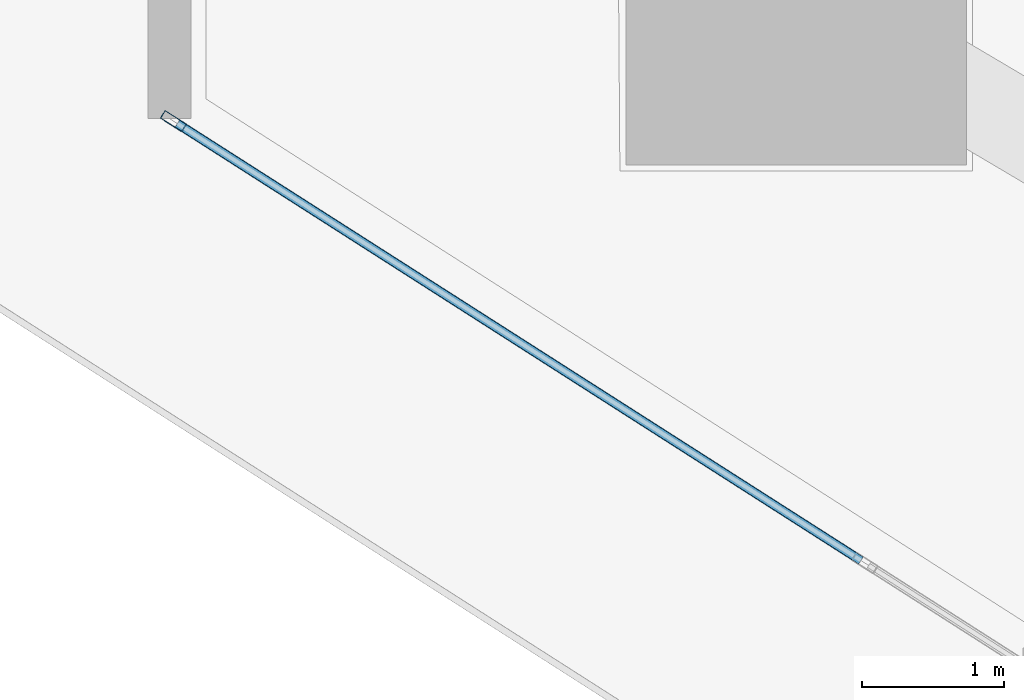
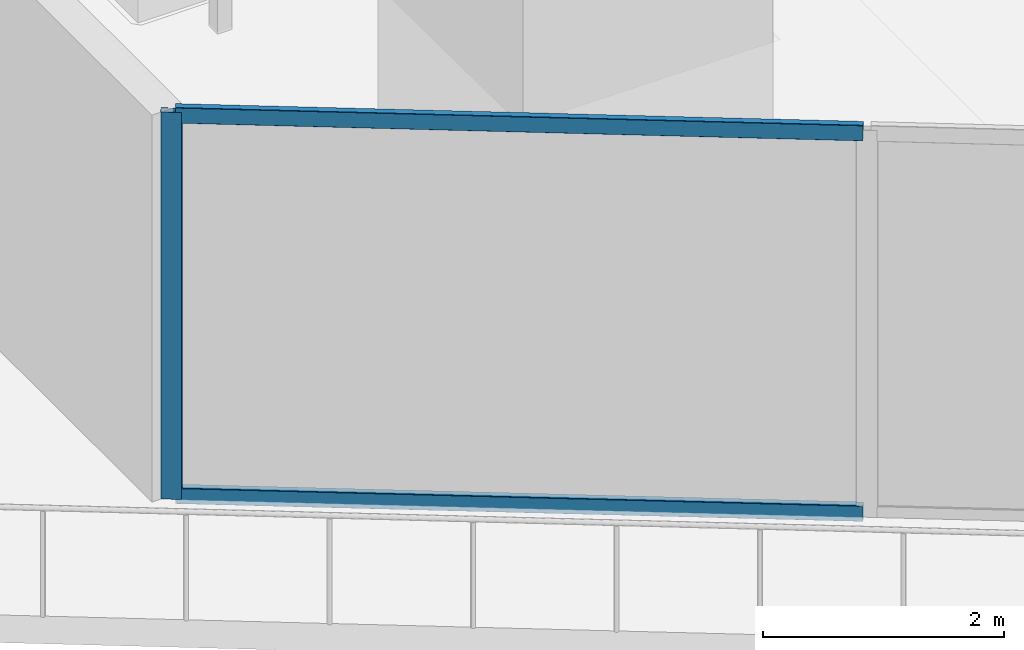
# One storey, part 4 of 44: 3 members, 1 element without a shape of its own.
"""IFC4 building model written with IfcOpenShell, lengths in metres."""

from ifc_helpers import new_model, si_unit, direction, frame, origin, origin_2d, place, context, subcontext, project, spatial, hollow_rectangle, extrude, material, layer, layer_set, material_profile, profile_set, type_object, element, aggregate, save


model = new_model("IFC4")

# Units and contexts
model_context = context("Model", 3, precision=1e-05, world=origin(), true_north=direction((0.0, 1.0)))
body_context = subcontext(model_context, "Body", "Model", "MODEL_VIEW")
ifc_project = project(units=[si_unit("LENGTHUNIT", "METRE"), si_unit("AREAUNIT", "SQUARE_METRE"), si_unit("VOLUMEUNIT", "CUBIC_METRE"), si_unit("PLANEANGLEUNIT", "RADIAN"), si_unit("MASSUNIT", "GRAM", prefix="KILO")], contexts=[model_context])

# Site, building, storey
site_placement = place(None, origin())
site = spatial("IfcSite", under=ifc_project, at=site_placement, CompositionType="ELEMENT")
building_placement = place(site_placement, origin())
building = spatial("IfcBuilding", under=site, at=building_placement, Name="Qorvath Tower", CompositionType="ELEMENT")
storey_placement = place(building_placement, frame((0.0, 0.0, 70.199951171875)))
storey = spatial("IfcBuildingStorey", under=building, at=storey_placement, Name="L15", CompositionType="ELEMENT", Elevation=70.199951171875)

# Curtain wall, members
ifc_material_1 = material(Name="Anodised aluminium and triple low-E glass", Category="aluminium")
ifc_layer = layer(ifc_material_1, 0.179931640625)
ifc_layer_set = layer_set([ifc_layer], Name="CW-SYS-2")
curtain_wall_type = type_object("IfcCurtainWallType", Name="CW-SYS-2", PredefinedType="NOTDEFINED", material=ifc_layer_set)
curtain_wall_placement = place(storey_placement, origin())
curtain_wall = element("IfcCurtainWall", 1, at=curtain_wall_placement, inside=storey, type_object=curtain_wall_type, Name="Curtain Wall CW-2 CW-T-L15-2.1", PredefinedType="NOTDEFINED")
ifc_material_2 = material(Name="Anodised aluminium 6063-T6", Category="aluminium")
ifc_material_profile_1 = material_profile(ifc_material_2, hollow_rectangle(XDim=0.06494140625, YDim=0.179931640625, WallThickness=0.00341796875, InnerFilletRadius=0.00341796875, OuterFilletRadius=0.007080078125, at=origin_2d()), Name="CWM 180x65")
ifc_profile_set_1 = profile_set([ifc_material_profile_1], Name="Anodised aluminium 6063-T6")
member_type_1 = type_object("IfcMemberType", Name="CWM-180", PredefinedType="MULLION", material=ifc_profile_set_1)
member_1_placement = place(storey_placement, frame((-59.669677734375, -4.08447265625, 0.0), z_axis=(0.0, 0.0, 1.0), x_axis=(0.538530641183, 0.842605927173, 0.0)))
member_1 = element("IfcMember", 2, at=member_1_placement, type_object=member_type_1, Name="CW-2 mullion 1", PredefinedType="MULLION", context=body_context, shape_type="SweptSolid", body=[
    extrude(hollow_rectangle(XDim=0.06494140625, YDim=0.179931640625, WallThickness=0.00341796875, InnerFilletRadius=0.00341796875, OuterFilletRadius=0.007080078125, at=origin_2d()), origin(), (0.0, 0.0, 1.0), 3.920166015625),
])
ifc_material_3 = material(Name="Anodised aluminium 6063-T6", Category="aluminium")
ifc_material_profile_2 = material_profile(ifc_material_3, hollow_rectangle(XDim=0.06494140625, YDim=0.159912109375, WallThickness=0.00341796875, InnerFilletRadius=0.00341796875, OuterFilletRadius=0.007080078125, at=origin_2d()), Name="CWT 160x65")
ifc_profile_set_2 = profile_set([ifc_material_profile_2], Name="Anodised aluminium 6063-T6")
member_type_2 = type_object("IfcMemberType", Name="CWT-160", PredefinedType="USERDEFINED", material=ifc_profile_set_2)
member_2_placement = place(storey_placement, frame((-59.642333984375, -4.101806640625, 0.032470703125), z_axis=(0.842590167086, -0.53855529923, 0.0), x_axis=(0.53855529923, 0.842590167086, 0.0)))
member_2 = element("IfcMember", 3, at=member_2_placement, type_object=member_type_2, Name="CW-2 transom 1.1", ObjectType="TRANSOM", PredefinedType="USERDEFINED", context=body_context, shape_type="SweptSolid", body=[
    extrude(hollow_rectangle(XDim=0.06494140625, YDim=0.159912109375, WallThickness=0.00341796875, InnerFilletRadius=0.00341796875, OuterFilletRadius=0.007080078125, at=origin_2d()), origin(), (0.0, 0.0, 1.0), 5.714111328125),
])
member_3_placement = place(storey_placement, frame((-59.642333984375, -4.101806640625, 3.8876953125), z_axis=(0.842590167086, -0.53855529923, 0.0), x_axis=(0.53855529923, 0.842590167086, 0.0)))
member_3 = element("IfcMember", 4, at=member_3_placement, type_object=member_type_2, Name="CW-2 transom 1.2", ObjectType="TRANSOM", PredefinedType="USERDEFINED", context=body_context, shape_type="SweptSolid", body=[
    extrude(hollow_rectangle(XDim=0.06494140625, YDim=0.159912109375, WallThickness=0.00341796875, InnerFilletRadius=0.00341796875, OuterFilletRadius=0.007080078125, at=origin_2d()), origin(), (0.0, 0.0, 1.0), 5.714111328125),
])
aggregate(curtain_wall, [member_1, member_2, member_3])

save(model, "model.ifc")
